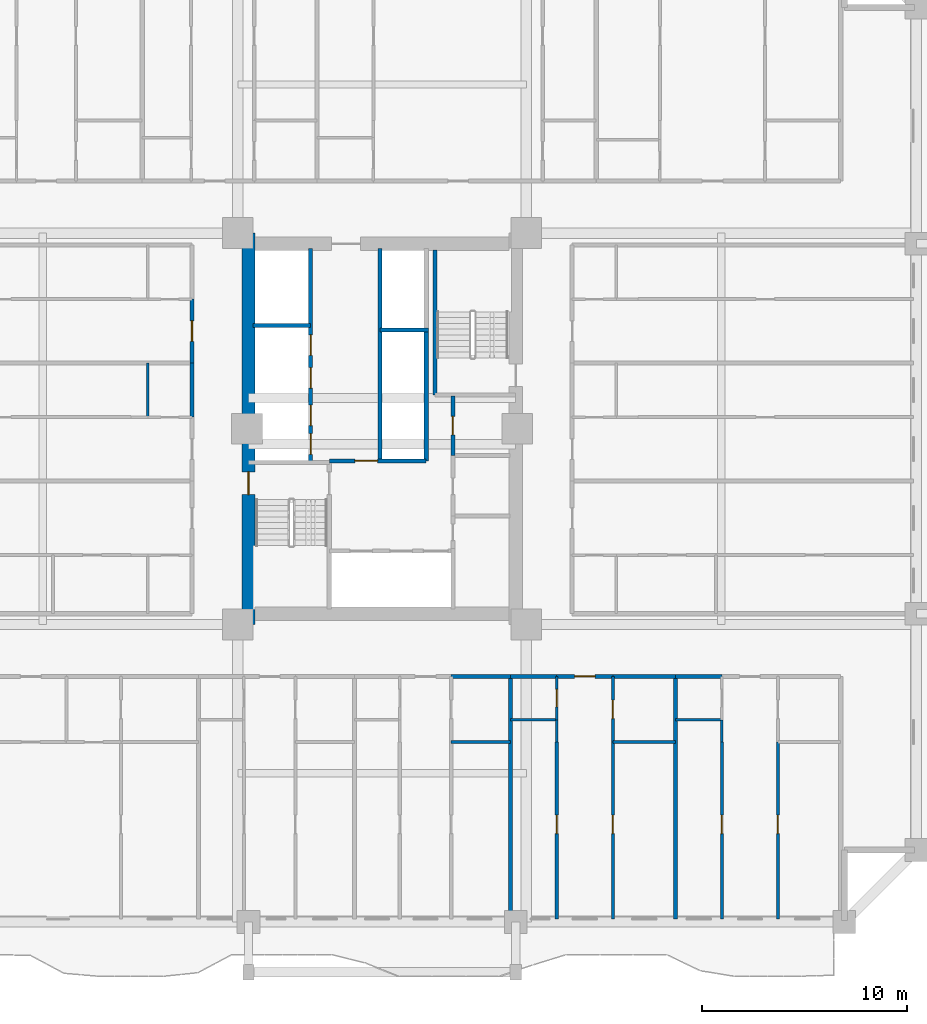
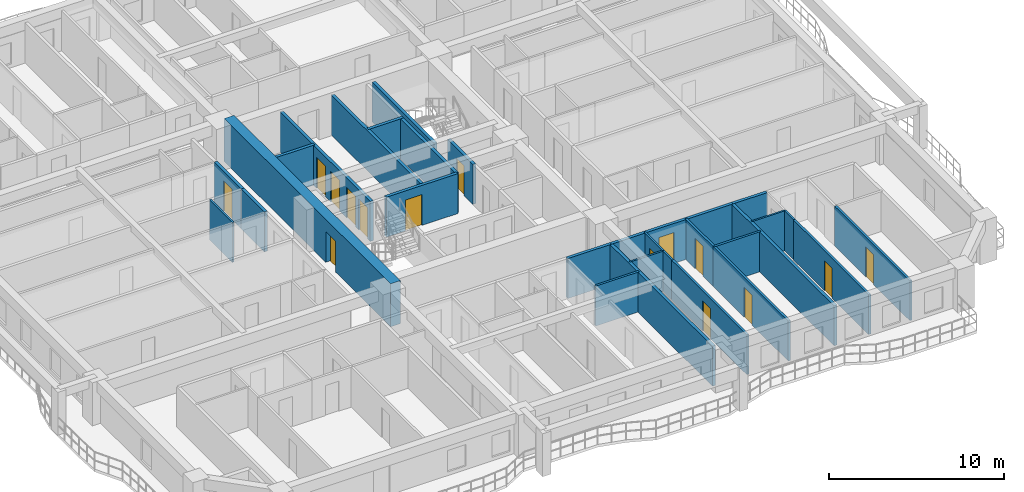
# One storey, part 5 of 16: 31 walls, 15 doors, 15 openings.
"""IFC4 building model written with IfcOpenShell, lengths in metres."""

from ifc_helpers import new_model, si_unit, direction, frame, frame_2d, origin, place, context, subcontext, project, spatial, rectangle, extrude, source, transform, mapped, material, layer, layer_set, type_object, element, fill, save


model = new_model("IFC4")

# Units and contexts
model_context = context("Model", 3, precision=1e-05, world=origin(), true_north=direction((0.0, 1.0)))
body_context = subcontext(model_context, "Body", "Model", "MODEL_VIEW")
ifc_project = project(units=[si_unit("LENGTHUNIT", "METRE"), si_unit("AREAUNIT", "SQUARE_METRE"), si_unit("VOLUMEUNIT", "CUBIC_METRE"), si_unit("PLANEANGLEUNIT", "RADIAN"), si_unit("MASSUNIT", "GRAM", prefix="KILO")], contexts=[model_context])

# Site, building, storey
site_placement = place(None, origin())
site = spatial("IfcSite", under=ifc_project, at=site_placement, CompositionType="ELEMENT")
building_placement = place(site_placement, origin())
building = spatial("IfcBuilding", under=site, at=building_placement, Name="Saelheon Loggia Tower", CompositionType="ELEMENT")
storey_placement = place(building_placement, frame((0.0, 0.0, 55.39990234375)))
storey = spatial("IfcBuildingStorey", under=building, at=storey_placement, Name="L17", CompositionType="ELEMENT", Elevation=55.39990234375)

# Wall, opening, door
ifc_material_1 = material(Name="Concrete C60/75", Category="concrete")
ifc_layer_1 = layer(ifc_material_1, 0.64990234375)
ifc_layer_set_1 = layer_set([ifc_layer_1], Name="Concrete C60/75")
wall_type_1 = type_object("IfcWallType", Name="Wall_CoreShear_650", PredefinedType="SHEAR", material=ifc_layer_set_1)
wall_1_placement = place(storey_placement, frame((31.5, 17.47998046875, 0.0), z_axis=(0.0, 0.0, 1.0), x_axis=(0.0, 1.0, 0.0)))
wall_1 = element("IfcWall", 1, at=wall_1_placement, inside=storey, type_object=wall_type_1, Name="L17 Core Shear Wall West", PredefinedType="SHEAR", context=body_context, shape_type="SweptSolid", body=[
    extrude(rectangle(XDim=19.0400390625, YDim=0.64990234375, at=frame_2d((9.52001953125, 0.0))), origin(), (0.0, 0.0, 1.0), 3.0),
])
opening_1_placement = place(wall_1_placement, frame((6.320068359375, 0.0, 0.0)))
opening_1 = element("IfcOpeningElement", 2, at=opening_1_placement, cuts=wall_1, Name="Opening D-FD2", PredefinedType="OPENING", context=body_context, shape_type="SweptSolid", body=[
    extrude(rectangle(XDim=1.10009765625, YDim=2.14990234375, at=frame_2d((0.550048828125, 1.074951171875))), frame((0.0, 0.3369140625, 0.0), z_axis=(0.0, -1.0, 0.0), x_axis=(1.0, 0.0, 0.0)), (0.0, 0.0, 1.0), 0.673828125),
])
ifc_material_2 = material(Name="Galvanised Steel Fire Door", Category="steel")
door_type_1 = type_object("IfcDoorType", Name="Door_Fire_FD60_1100", OperationType="NOTDEFINED", PredefinedType="DOOR", material=ifc_material_2)
shared_shape_1 = source(origin(), body_context, "Body", "SweptSolid", [
    extrude(rectangle(XDim=1.10009765625, YDim=2.14990234375, at=frame_2d((0.550048828125, 1.074951171875))), frame((0.0, 0.02490234375, 0.0), z_axis=(0.0, -1.0, 0.0), x_axis=(1.0, 0.0, 0.0)), (0.0, 0.0, 1.0), 0.050048828125),
])
door_1_placement = place(opening_1_placement, origin())
door_1 = element("IfcDoor", 3, at=door_1_placement, inside=storey, type_object=door_type_1, Name="L17 Stair ST1 Corridor Door", OperationType="SINGLE_SWING_LEFT", OverallHeight=2.14990234375, OverallWidth=1.10009765625, PredefinedType="DOOR", context=body_context, shape_type="MappedRepresentation", body=[
    mapped(shared_shape_1, transform((0.0, 0.0, 0.0), scale=1.0)),
])
fill(opening_1, door_1)

# Walls
ifc_material_3 = material(Name="Lightweight Autoclaved Aerated Concrete Block and Acoustic Gypsum", Category="concrete")
ifc_layer_2 = layer(ifc_material_3, 0.14990234375)
ifc_layer_set_2 = layer_set([ifc_layer_2], Name="Lightweight Autoclaved Aerated Concrete Block and Acoustic Gypsum")
wall_type_2 = type_object("IfcWallType", Name="Wall_Part_150", PredefinedType="PARTITIONING", material=ifc_layer_set_2)
wall_2_placement = place(storey_placement, frame((41.365966796875, 11.75, 0.0), z_axis=(0.0, 0.0, 1.0), x_axis=(1.0, 0.0, 0.0)))
element("IfcWall", 4, at=wall_2_placement, inside=storey, type_object=wall_type_2, Name="L17 S Partition V33", PredefinedType="PARTITIONING", context=body_context, shape_type="SweptSolid", body=[
    extrude(rectangle(XDim=2.883544921875, YDim=0.14990234375, at=frame_2d((1.44189453125, 0.0))), origin(), (0.0, 0.0, 1.0), 2.7900390625),
])
wall_3_placement = place(storey_placement, frame((49.2314453125, 11.75, 0.0), z_axis=(0.0, 0.0, 1.0), x_axis=(1.0, 0.0, 0.0)))
element("IfcWall", 5, at=wall_3_placement, inside=storey, type_object=wall_type_2, Name="L17 S Partition V44", PredefinedType="PARTITIONING", context=body_context, shape_type="SweptSolid", body=[
    extrude(rectangle(XDim=3.053466796875, YDim=0.14990234375, at=frame_2d((1.52685546875, 0.0))), origin(), (0.0, 0.0, 1.0), 2.7900390625),
])

# Wall, opening, door
wall_4_placement = place(storey_placement, frame((46.49951171875, 11.75, 0.0), z_axis=(0.0, 0.0, 1.0), x_axis=(0.0, -1.0, 0.0)))
wall_4 = element("IfcWall", 6, at=wall_4_placement, inside=storey, type_object=wall_type_2, Name="L17 S Partition U47", PredefinedType="PARTITIONING", context=body_context, shape_type="SweptSolid", body=[
    extrude(rectangle(XDim=8.60009765625, YDim=0.14990234375, at=frame_2d((4.300048828125, 0.0))), origin(), (0.0, 0.0, 1.0), 2.7900390625),
])
opening_2_placement = place(wall_4_placement, frame((3.54931640625, 0.0, 0.0)))
opening_2 = element("IfcOpeningElement", 7, at=opening_2_placement, cuts=wall_4, Name="Opening D-IN2", PredefinedType="OPENING", context=body_context, shape_type="SweptSolid", body=[
    extrude(rectangle(XDim=0.89990234375, YDim=2.10009765625, at=frame_2d((0.449951171875, 1.050048828125))), frame((0.0, 0.0869140625, 0.0), z_axis=(0.0, -1.0, 0.0), x_axis=(1.0, 0.0, 0.0)), (0.0, 0.0, 1.0), 0.173828125),
])
ifc_material_4 = material(Name="Engineered Oak Flush Door", Category="timber")
door_type_2 = type_object("IfcDoorType", Name="Door_Int_900", OperationType="NOTDEFINED", PredefinedType="DOOR", material=ifc_material_4)
shared_shape_2 = source(origin(), body_context, "Body", "SweptSolid", [
    extrude(rectangle(XDim=0.89990234375, YDim=2.10009765625, at=frame_2d((0.449951171875, 1.050048828125))), frame((0.0, 0.02490234375, 0.0), z_axis=(0.0, -1.0, 0.0), x_axis=(1.0, 0.0, 0.0)), (0.0, 0.0, 1.0), 0.050048828125),
])
door_2_placement = place(opening_2_placement, origin())
door_2 = element("IfcDoor", 8, at=door_2_placement, inside=storey, type_object=door_type_2, Name="Unit U04 Kitchen Door", OperationType="SINGLE_SWING_RIGHT", OverallHeight=2.10009765625, OverallWidth=0.89990234375, PredefinedType="DOOR", context=body_context, shape_type="MappedRepresentation", body=[
    mapped(shared_shape_2, transform((0.0, 0.0, 0.0), scale=1.0)),
])
fill(opening_2, door_2)

wall_5_placement = place(storey_placement, frame((49.2314453125, 14.949951171875, 0.0), z_axis=(0.0, 0.0, 1.0), x_axis=(0.0, -1.0, 0.0)))
wall_5 = element("IfcWall", 9, at=wall_5_placement, inside=storey, type_object=wall_type_2, Name="L17 S Partition U48", PredefinedType="PARTITIONING", context=body_context, shape_type="SweptSolid", body=[
    extrude(rectangle(XDim=3.199951171875, YDim=0.14990234375, at=frame_2d((1.60009765625, 0.0))), origin(), (0.0, 0.0, 1.0), 2.7900390625),
])
opening_3_placement = place(wall_5_placement, frame((1.14990234375, 0.0, 0.0)))
opening_3 = element("IfcOpeningElement", 10, at=opening_3_placement, cuts=wall_5, Name="Opening D-IN2", PredefinedType="OPENING", context=body_context, shape_type="SweptSolid", body=[
    extrude(rectangle(XDim=0.89990234375, YDim=2.10009765625, at=frame_2d((0.449951171875, 1.050048828125))), frame((0.0, 0.0869140625, 0.0), z_axis=(0.0, -1.0, 0.0), x_axis=(1.0, 0.0, 0.0)), (0.0, 0.0, 1.0), 0.173828125),
])
door_3_placement = place(opening_3_placement, origin())
door_3 = element("IfcDoor", 11, at=door_3_placement, inside=storey, type_object=door_type_2, Name="Unit U04 Dressing Closet Door", OperationType="SINGLE_SWING_LEFT", OverallHeight=2.10009765625, OverallWidth=0.89990234375, PredefinedType="DOOR", context=body_context, shape_type="MappedRepresentation", body=[
    mapped(shared_shape_2, transform((0.0, 0.0, 0.0), scale=1.0)),
])
fill(opening_3, door_3)

wall_6_placement = place(storey_placement, frame((49.2314453125, 11.75, 0.0), z_axis=(0.0, 0.0, 1.0), x_axis=(0.0, -1.0, 0.0)))
wall_6 = element("IfcWall", 12, at=wall_6_placement, inside=storey, type_object=wall_type_2, Name="L17 S Partition U49", PredefinedType="PARTITIONING", context=body_context, shape_type="SweptSolid", body=[
    extrude(rectangle(XDim=8.60009765625, YDim=0.14990234375, at=frame_2d((4.300048828125, 0.0))), origin(), (0.0, 0.0, 1.0), 2.7900390625),
])
opening_4_placement = place(wall_6_placement, frame((3.54931640625, 0.0, 0.0)))
opening_4 = element("IfcOpeningElement", 13, at=opening_4_placement, cuts=wall_6, Name="Opening D-IN2", PredefinedType="OPENING", context=body_context, shape_type="SweptSolid", body=[
    extrude(rectangle(XDim=0.89990234375, YDim=2.10009765625, at=frame_2d((0.449951171875, 1.050048828125))), frame((0.0, 0.0869140625, 0.0), z_axis=(0.0, -1.0, 0.0), x_axis=(1.0, 0.0, 0.0)), (0.0, 0.0, 1.0), 0.173828125),
])
door_4_placement = place(opening_4_placement, origin())
door_4 = element("IfcDoor", 14, at=door_4_placement, inside=storey, type_object=door_type_2, Name="Unit U04 Bedroom 1 Door", OperationType="SINGLE_SWING_RIGHT", OverallHeight=2.10009765625, OverallWidth=0.89990234375, PredefinedType="DOOR", context=body_context, shape_type="MappedRepresentation", body=[
    mapped(shared_shape_2, transform((0.0, 0.0, 0.0), scale=1.0)),
])
fill(opening_4, door_4)

wall_7_placement = place(storey_placement, frame((54.53466796875, 11.75, 0.0), z_axis=(0.0, 0.0, 1.0), x_axis=(0.0, -1.0, 0.0)))
wall_7 = element("IfcWall", 15, at=wall_7_placement, inside=storey, type_object=wall_type_2, Name="L17 S Partition U58", PredefinedType="PARTITIONING", context=body_context, shape_type="SweptSolid", body=[
    extrude(rectangle(XDim=8.60009765625, YDim=0.14990234375, at=frame_2d((4.300048828125, 0.0))), origin(), (0.0, 0.0, 1.0), 2.7900390625),
])
opening_5_placement = place(wall_7_placement, frame((3.54931640625, 0.0, 0.0)))
opening_5 = element("IfcOpeningElement", 16, at=opening_5_placement, cuts=wall_7, Name="Opening D-IN2", PredefinedType="OPENING", context=body_context, shape_type="SweptSolid", body=[
    extrude(rectangle(XDim=0.89990234375, YDim=2.10009765625, at=frame_2d((0.449951171875, 1.050048828125))), frame((0.0, 0.0869140625, 0.0), z_axis=(0.0, -1.0, 0.0), x_axis=(1.0, 0.0, 0.0)), (0.0, 0.0, 1.0), 0.173828125),
])
door_5_placement = place(opening_5_placement, origin())
door_5 = element("IfcDoor", 17, at=door_5_placement, inside=storey, type_object=door_type_2, Name="Unit U05 Kitchen Door", OperationType="SINGLE_SWING_LEFT", OverallHeight=2.10009765625, OverallWidth=0.89990234375, PredefinedType="DOOR", context=body_context, shape_type="MappedRepresentation", body=[
    mapped(shared_shape_2, transform((0.0, 0.0, 0.0), scale=1.0)),
])
fill(opening_5, door_5)

wall_8_placement = place(storey_placement, frame((57.2666015625, 11.75, 0.0), z_axis=(0.0, 0.0, 1.0), x_axis=(0.0, -1.0, 0.0)))
wall_8 = element("IfcWall", 18, at=wall_8_placement, inside=storey, type_object=wall_type_2, Name="L17 S Partition U60", PredefinedType="PARTITIONING", context=body_context, shape_type="SweptSolid", body=[
    extrude(rectangle(XDim=8.60009765625, YDim=0.14990234375, at=frame_2d((4.300048828125, 0.0))), origin(), (0.0, 0.0, 1.0), 2.7900390625),
])
opening_6_placement = place(wall_8_placement, frame((3.54931640625, 0.0, 0.0)))
opening_6 = element("IfcOpeningElement", 19, at=opening_6_placement, cuts=wall_8, Name="Opening D-IN2", PredefinedType="OPENING", context=body_context, shape_type="SweptSolid", body=[
    extrude(rectangle(XDim=0.89990234375, YDim=2.10009765625, at=frame_2d((0.449951171875, 1.050048828125))), frame((0.0, 0.0869140625, 0.0), z_axis=(0.0, -1.0, 0.0), x_axis=(1.0, 0.0, 0.0)), (0.0, 0.0, 1.0), 0.173828125),
])
door_6_placement = place(opening_6_placement, origin())
door_6 = element("IfcDoor", 20, at=door_6_placement, inside=storey, type_object=door_type_2, Name="Unit U05 Bedroom 1 Door", OperationType="SINGLE_SWING_LEFT", OverallHeight=2.10009765625, OverallWidth=0.89990234375, PredefinedType="DOOR", context=body_context, shape_type="MappedRepresentation", body=[
    mapped(shared_shape_2, transform((0.0, 0.0, 0.0), scale=1.0)),
])
fill(opening_6, door_6)

# Walls
ifc_material_5 = material(Name="Double Acoustic Stud and Fireboard Partition", Category="gypsum")
ifc_layer_3 = layer(ifc_material_5, 0.199951171875)
ifc_layer_set_3 = layer_set([ifc_layer_3], Name="Double Acoustic Stud and Fireboard Partition")
wall_type_3 = type_object("IfcWallType", Name="Wall_Party_200", PredefinedType="PARTITIONING", material=ifc_layer_set_3)
wall_9_placement = place(storey_placement, frame((41.365966796875, 14.949951171875, 0.0), z_axis=(0.0, 0.0, 1.0), x_axis=(1.0, 0.0, 0.0)))
element("IfcWall", 21, at=wall_9_placement, inside=storey, type_object=wall_type_3, Name="L17 S Partition V31", PredefinedType="PARTITIONING", context=body_context, shape_type="SweptSolid", body=[
    extrude(rectangle(XDim=2.883544921875, YDim=0.199951171875, at=frame_2d((1.44189453125, 0.0))), origin(), (0.0, 0.0, 1.0), 2.7900390625),
])
wall_10_placement = place(storey_placement, frame((44.24951171875, 14.949951171875, 0.0), z_axis=(0.0, 0.0, 1.0), x_axis=(0.0, -1.0, 0.0)))
element("IfcWall", 22, at=wall_10_placement, inside=storey, type_object=wall_type_3, Name="L17 S Partition U39", PredefinedType="PARTITIONING", context=body_context, shape_type="SweptSolid", body=[
    extrude(rectangle(XDim=11.800048828125, YDim=0.199951171875, at=frame_2d((5.89990234375, 0.0))), origin(), (0.0, 0.0, 1.0), 2.7900390625),
])
wall_11_placement = place(storey_placement, frame((44.24951171875, 14.949951171875, 0.0), z_axis=(0.0, 0.0, 1.0), x_axis=(1.0, 0.0, 0.0)))
element("IfcWall", 23, at=wall_11_placement, inside=storey, type_object=wall_type_3, Name="L17 S Partition V40", PredefinedType="PARTITIONING", context=body_context, shape_type="SweptSolid", body=[
    extrude(rectangle(XDim=2.25, YDim=0.199951171875, at=frame_2d((1.125, 0.0))), origin(), (0.0, 0.0, 1.0), 2.7900390625),
])

# Wall, opening, door
wall_12_placement = place(storey_placement, frame((46.49951171875, 14.949951171875, 0.0), z_axis=(0.0, 0.0, 1.0), x_axis=(1.0, 0.0, 0.0)))
wall_12 = element("IfcWall", 24, at=wall_12_placement, inside=storey, type_object=wall_type_3, Name="L17 S Partition V41", PredefinedType="PARTITIONING", context=body_context, shape_type="SweptSolid", body=[
    extrude(rectangle(XDim=2.73193359375, YDim=0.199951171875, at=frame_2d((1.365966796875, 0.0))), origin(), (0.0, 0.0, 1.0), 2.7900390625),
])
opening_7_placement = place(wall_12_placement, frame((0.865966796875, 0.0, 0.0)))
opening_7 = element("IfcOpeningElement", 25, at=opening_7_placement, cuts=wall_12, Name="Opening D-FD1", PredefinedType="OPENING", context=body_context, shape_type="SweptSolid", body=[
    extrude(rectangle(XDim=1.0, YDim=2.14990234375, at=frame_2d((0.5, 1.074951171875))), frame((0.0, 0.112060546875, 0.0), z_axis=(0.0, -1.0, 0.0), x_axis=(1.0, 0.0, 0.0)), (0.0, 0.0, 1.0), 0.223876953125),
])
ifc_material_6 = material(Name="Fire-Rated Engineered Timber Entrance Door", Category="wood")
door_type_3 = type_object("IfcDoorType", Name="Door_Flat_FD30S", OperationType="NOTDEFINED", PredefinedType="DOOR", material=ifc_material_6)
shared_shape_3 = source(origin(), body_context, "Body", "SweptSolid", [
    extrude(rectangle(XDim=1.0, YDim=2.14990234375, at=frame_2d((0.5, 1.074951171875))), frame((0.0, 0.02490234375, 0.0), z_axis=(0.0, -1.0, 0.0), x_axis=(1.0, 0.0, 0.0)), (0.0, 0.0, 1.0), 0.050048828125),
])
door_7_placement = place(opening_7_placement, origin())
door_7 = element("IfcDoor", 26, at=door_7_placement, inside=storey, type_object=door_type_3, Name="Unit U04 Entrance Door", OperationType="SINGLE_SWING_RIGHT", OverallHeight=2.14990234375, OverallWidth=1.0, PredefinedType="DOOR", context=body_context, shape_type="MappedRepresentation", body=[
    mapped(shared_shape_3, transform((0.0, 0.0, 0.0), scale=1.0)),
])
fill(opening_7, door_7)

# Walls
wall_13_placement = place(storey_placement, frame((49.2314453125, 14.949951171875, 0.0), z_axis=(0.0, 0.0, 1.0), x_axis=(1.0, 0.0, 0.0)))
element("IfcWall", 27, at=wall_13_placement, inside=storey, type_object=wall_type_3, Name="L17 S Partition V42", PredefinedType="PARTITIONING", context=body_context, shape_type="SweptSolid", body=[
    extrude(rectangle(XDim=3.053466796875, YDim=0.199951171875, at=frame_2d((1.52685546875, 0.0))), origin(), (0.0, 0.0, 1.0), 2.7900390625),
])
wall_14_placement = place(storey_placement, frame((52.284912109375, 14.949951171875, 0.0), z_axis=(0.0, 0.0, 1.0), x_axis=(0.0, -1.0, 0.0)))
element("IfcWall", 28, at=wall_14_placement, inside=storey, type_object=wall_type_3, Name="L17 S Partition U50", PredefinedType="PARTITIONING", context=body_context, shape_type="SweptSolid", body=[
    extrude(rectangle(XDim=11.800048828125, YDim=0.199951171875, at=frame_2d((5.89990234375, 0.0))), origin(), (0.0, 0.0, 1.0), 2.7900390625),
])
wall_15_placement = place(storey_placement, frame((52.284912109375, 14.949951171875, 0.0), z_axis=(0.0, 0.0, 1.0), x_axis=(1.0, 0.0, 0.0)))
element("IfcWall", 29, at=wall_15_placement, inside=storey, type_object=wall_type_3, Name="L17 S Partition V51", PredefinedType="PARTITIONING", context=body_context, shape_type="SweptSolid", body=[
    extrude(rectangle(XDim=2.249755859375, YDim=0.199951171875, at=frame_2d((1.125, 0.0))), origin(), (0.0, 0.0, 1.0), 2.7900390625),
])
wall_16_placement = place(storey_placement, frame((28.75, 27.563720703125, 0.0), z_axis=(0.0, 0.0, 1.0), x_axis=(0.0, 1.0, 0.0)))
element("IfcWall", 30, at=wall_16_placement, inside=storey, type_object=wall_type_3, Name="L17 W Partition V13", PredefinedType="PARTITIONING", context=body_context, shape_type="SweptSolid", body=[
    extrude(rectangle(XDim=2.642333984375, YDim=0.199951171875, at=frame_2d((1.3212890625, 0.0))), origin(), (0.0, 0.0, 1.0), 2.7900390625),
])

# Wall, opening, door
wall_17_placement = place(storey_placement, frame((28.75, 30.2060546875, 0.0), z_axis=(0.0, 0.0, 1.0), x_axis=(0.0, 1.0, 0.0)))
wall_17 = element("IfcWall", 31, at=wall_17_placement, inside=storey, type_object=wall_type_3, Name="L17 W Partition V19", PredefinedType="PARTITIONING", context=body_context, shape_type="SweptSolid", body=[
    extrude(rectangle(XDim=3.101806640625, YDim=0.199951171875, at=frame_2d((1.55078125, 0.0))), origin(), (0.0, 0.0, 1.0), 2.7900390625),
])
opening_8_placement = place(wall_17_placement, frame((1.05078125, 0.0, 0.0)))
opening_8 = element("IfcOpeningElement", 32, at=opening_8_placement, cuts=wall_17, Name="Opening D-FD1", PredefinedType="OPENING", context=body_context, shape_type="SweptSolid", body=[
    extrude(rectangle(XDim=1.0, YDim=2.14990234375, at=frame_2d((0.5, 1.074951171875))), frame((0.0, 0.112060546875, 0.0), z_axis=(0.0, -1.0, 0.0), x_axis=(1.0, 0.0, 0.0)), (0.0, 0.0, 1.0), 0.223876953125),
])
door_8_placement = place(opening_8_placement, origin())
door_8 = element("IfcDoor", 33, at=door_8_placement, inside=storey, type_object=door_type_3, Name="Unit U12 Entrance Door", OperationType="SINGLE_SWING_RIGHT", OverallHeight=2.14990234375, OverallWidth=1.0, PredefinedType="DOOR", context=body_context, shape_type="MappedRepresentation", body=[
    mapped(shared_shape_3, transform((0.0, 0.0, 0.0), scale=1.0)),
])
fill(opening_8, door_8)

ifc_material_7 = material(Name="Concrete C40/50", Category="concrete")
ifc_layer_4 = layer(ifc_material_7, 0.199951171875)
ifc_layer_set_4 = layer_set([ifc_layer_4], Name="Concrete C40/50")
wall_type_4 = type_object("IfcWallType", Name="Wall_Shaft_200", PredefinedType="PARTITIONING", material=ifc_layer_set_4)
wall_18_placement = place(storey_placement, frame((41.449951171875, 25.699951171875, 0.0), z_axis=(0.0, 0.0, 1.0), x_axis=(0.0, 1.0, 0.0)))
wall_18 = element("IfcWall", 34, at=wall_18_placement, inside=storey, type_object=wall_type_4, Name="CW-INT-L17-BOH-W3", PredefinedType="PARTITIONING", context=body_context, shape_type="SweptSolid", body=[
    extrude(rectangle(XDim=2.900146484375, YDim=0.199951171875, at=frame_2d((1.4501953125, 0.0))), origin(), (0.0, 0.0, 1.0), 2.7900390625),
])
opening_9_placement = place(wall_18_placement, frame((1.0, 0.0, 0.0)))
opening_9 = element("IfcOpeningElement", 35, at=opening_9_placement, cuts=wall_18, Name="Opening D-RS1", PredefinedType="OPENING", context=body_context, shape_type="SweptSolid", body=[
    extrude(rectangle(XDim=0.89990234375, YDim=2.10009765625, at=frame_2d((0.449951171875, 1.050048828125))), frame((0.0, 0.112060546875, 0.0), z_axis=(0.0, -1.0, 0.0), x_axis=(1.0, 0.0, 0.0)), (0.0, 0.0, 1.0), 0.223876953125),
])
ifc_material_8 = material(Name="Galvanised Steel Riser Access Door", Category="steel")
door_type_4 = type_object("IfcDoorType", Name="Door_Riser_FD60", OperationType="NOTDEFINED", PredefinedType="DOOR", material=ifc_material_8)
door_9_placement = place(opening_9_placement, origin())
door_9 = element("IfcDoor", 36, at=door_9_placement, inside=storey, type_object=door_type_4, Name="L17 Floor IT Room Door", OperationType="SINGLE_SWING_RIGHT", OverallHeight=2.10009765625, OverallWidth=0.89990234375, PredefinedType="DOOR", context=body_context, shape_type="MappedRepresentation", body=[
    mapped(shared_shape_2, transform((0.0, 0.0, 0.0), scale=1.0)),
])
fill(opening_9, door_9)

# Wall
wall_19_placement = place(storey_placement, frame((40.14990234375, 25.43994140625, 0.0), z_axis=(0.0, 0.0, 1.0), x_axis=(0.0, 1.0, 0.0)))
element("IfcWall", 37, at=wall_19_placement, inside=storey, type_object=wall_type_4, Name="L17 Core Service Passage West Wall", PredefinedType="PARTITIONING", context=body_context, shape_type="SweptSolid", body=[
    extrude(rectangle(XDim=6.360107421875, YDim=0.199951171875, at=frame_2d((3.18017578125, 0.0))), origin(), (0.0, 0.0, 1.0), 2.7900390625),
])

# Wall, opening, door
wall_20_placement = place(storey_placement, frame((35.429931640625, 25.43994140625, 0.0), z_axis=(0.0, 0.0, 1.0), x_axis=(1.0, 0.0, 0.0)))
wall_20 = element("IfcWall", 38, at=wall_20_placement, inside=storey, type_object=wall_type_4, Name="L17 Firefighting Lobby Compartment Wall", PredefinedType="PARTITIONING", context=body_context, shape_type="SweptSolid", body=[
    extrude(rectangle(XDim=4.719970703125, YDim=0.199951171875, at=frame_2d((2.35986328125, 0.0))), origin(), (0.0, 0.0, 1.0), 2.7900390625),
])
opening_10_placement = place(wall_20_placement, frame((1.25, 0.0, 0.0)))
opening_10 = element("IfcOpeningElement", 39, at=opening_10_placement, cuts=wall_20, Name="Opening D-FD2", PredefinedType="OPENING", context=body_context, shape_type="SweptSolid", body=[
    extrude(rectangle(XDim=1.10009765625, YDim=2.14990234375, at=frame_2d((0.550048828125, 1.074951171875))), frame((0.0, 0.112060546875, 0.0), z_axis=(0.0, -1.0, 0.0), x_axis=(1.0, 0.0, 0.0)), (0.0, 0.0, 1.0), 0.223876953125),
])
door_10_placement = place(opening_10_placement, origin())
door_10 = element("IfcDoor", 40, at=door_10_placement, inside=storey, type_object=door_type_1, Name="L17 Firefighting Lobby Door", OperationType="SINGLE_SWING_LEFT", OverallHeight=2.14990234375, OverallWidth=1.10009765625, PredefinedType="DOOR", context=body_context, shape_type="MappedRepresentation", body=[
    mapped(shared_shape_1, transform((0.0, 0.0, 0.0), scale=1.0)),
])
fill(opening_10, door_10)

# Wall, openings, doors
wall_21_placement = place(storey_placement, frame((34.52001953125, 25.43994140625, 0.0), z_axis=(0.0, 0.0, 1.0), x_axis=(0.0, 1.0, 0.0)))
wall_21 = element("IfcWall", 41, at=wall_21_placement, inside=storey, type_object=wall_type_4, Name="L17 West Passenger Lift Bank Wall", PredefinedType="PARTITIONING", context=body_context, shape_type="SweptSolid", body=[
    extrude(rectangle(XDim=10.340087890625, YDim=0.199951171875, at=frame_2d((5.169921875, 0.0))), origin(), (0.0, 0.0, 1.0), 2.7900390625),
])
opening_11_placement = place(wall_21_placement, frame((0.320068359375, 0.0, 0.0)))
opening_11 = element("IfcOpeningElement", 42, at=opening_11_placement, cuts=wall_21, Name="Opening LD1", PredefinedType="OPENING", context=body_context, shape_type="SweptSolid", body=[
    extrude(rectangle(XDim=1.0, YDim=2.14990234375, at=frame_2d((0.5, 1.074951171875))), frame((0.0, 0.112060546875, 0.0), z_axis=(0.0, -1.0, 0.0), x_axis=(1.0, 0.0, 0.0)), (0.0, 0.0, 1.0), 0.223876953125),
])
opening_12_placement = place(wall_21_placement, frame((1.7099609375, 0.0, 0.0)))
opening_12 = element("IfcOpeningElement", 43, at=opening_12_placement, cuts=wall_21, Name="Opening LD1", PredefinedType="OPENING", context=body_context, shape_type="SweptSolid", body=[
    extrude(rectangle(XDim=1.0, YDim=2.14990234375, at=frame_2d((0.5, 1.074951171875))), frame((0.0, 0.112060546875, 0.0), z_axis=(0.0, -1.0, 0.0), x_axis=(1.0, 0.0, 0.0)), (0.0, 0.0, 1.0), 0.223876953125),
])
opening_13_placement = place(wall_21_placement, frame((3.534912109375, 0.0, 0.0)))
opening_13 = element("IfcOpeningElement", 44, at=opening_13_placement, cuts=wall_21, Name="Opening LD1", PredefinedType="OPENING", context=body_context, shape_type="SweptSolid", body=[
    extrude(rectangle(XDim=1.0, YDim=2.14990234375, at=frame_2d((0.5, 1.074951171875))), frame((0.0, 0.112060546875, 0.0), z_axis=(0.0, -1.0, 0.0), x_axis=(1.0, 0.0, 0.0)), (0.0, 0.0, 1.0), 0.223876953125),
])
opening_14_placement = place(wall_21_placement, frame((5.135009765625, 0.0, 0.0)))
opening_14 = element("IfcOpeningElement", 45, at=opening_14_placement, cuts=wall_21, Name="Opening LD1", PredefinedType="OPENING", context=body_context, shape_type="SweptSolid", body=[
    extrude(rectangle(XDim=1.0, YDim=2.14990234375, at=frame_2d((0.5, 1.074951171875))), frame((0.0, 0.112060546875, 0.0), z_axis=(0.0, -1.0, 0.0), x_axis=(1.0, 0.0, 0.0)), (0.0, 0.0, 1.0), 0.223876953125),
])
ifc_material_9 = material(Name="Brushed Stainless Steel 304 Landing Door", Category="steel")
door_type_5 = type_object("IfcDoorType", Name="Door_Lift_LD1", OperationType="DOUBLE_DOOR_SLIDING", PredefinedType="DOOR", material=ifc_material_9)
door_11_placement = place(opening_11_placement, origin())
door_11 = element("IfcDoor", 46, at=door_11_placement, inside=storey, type_object=door_type_5, Name="L17 PL1 Landing Door", OperationType="DOUBLE_DOOR_SLIDING", OverallHeight=2.14990234375, OverallWidth=1.0, PredefinedType="DOOR", context=body_context, shape_type="MappedRepresentation", body=[
    mapped(shared_shape_3, transform((0.0, 0.0, 0.0), scale=1.0)),
])
fill(opening_11, door_11)
door_12_placement = place(opening_12_placement, origin())
door_12 = element("IfcDoor", 47, at=door_12_placement, inside=storey, type_object=door_type_5, Name="L17 PL2 Landing Door", OperationType="DOUBLE_DOOR_SLIDING", OverallHeight=2.14990234375, OverallWidth=1.0, PredefinedType="DOOR", context=body_context, shape_type="MappedRepresentation", body=[
    mapped(shared_shape_3, transform((0.0, 0.0, 0.0), scale=1.0)),
])
fill(opening_12, door_12)
door_13_placement = place(opening_13_placement, origin())
door_13 = element("IfcDoor", 48, at=door_13_placement, inside=storey, type_object=door_type_5, Name="L17 PL3 Landing Door", OperationType="DOUBLE_DOOR_SLIDING", OverallHeight=2.14990234375, OverallWidth=1.0, PredefinedType="DOOR", context=body_context, shape_type="MappedRepresentation", body=[
    mapped(shared_shape_3, transform((0.0, 0.0, 0.0), scale=1.0)),
])
fill(opening_13, door_13)
door_14_placement = place(opening_14_placement, origin())
door_14 = element("IfcDoor", 49, at=door_14_placement, inside=storey, type_object=door_type_5, Name="L17 PL4 Landing Door", OperationType="DOUBLE_DOOR_SLIDING", OverallHeight=2.14990234375, OverallWidth=1.0, PredefinedType="DOOR", context=body_context, shape_type="MappedRepresentation", body=[
    mapped(shared_shape_3, transform((0.0, 0.0, 0.0), scale=1.0)),
])
fill(opening_14, door_14)

# Walls
wall_22_placement = place(storey_placement, frame((31.719970703125, 32.02001953125, 0.0), z_axis=(0.0, 0.0, 1.0), x_axis=(1.0, 0.0, 0.0)))
element("IfcWall", 50, at=wall_22_placement, inside=storey, type_object=wall_type_4, Name="L17 West High-Rise Shaft Divider", PredefinedType="PARTITIONING", context=body_context, shape_type="SweptSolid", body=[
    extrude(rectangle(XDim=2.800048828125, YDim=0.199951171875, at=frame_2d((1.39990234375, 0.0))), origin(), (0.0, 0.0, 1.0), 2.7900390625),
])
wall_23_placement = place(storey_placement, frame((37.89990234375, 25.43994140625, 0.0), z_axis=(0.0, 0.0, 1.0), x_axis=(0.0, 1.0, 0.0)))
element("IfcWall", 51, at=wall_23_placement, inside=storey, type_object=wall_type_4, Name="L17 East Passenger Lift Bank Wall", PredefinedType="PARTITIONING", context=body_context, shape_type="SweptSolid", body=[
    extrude(rectangle(XDim=10.340087890625, YDim=0.199951171875, at=frame_2d((5.169921875, 0.0))), origin(), (0.0, 0.0, 1.0), 2.7900390625),
])
wall_24_placement = place(storey_placement, frame((37.89990234375, 31.800048828125, 0.0), z_axis=(0.0, 0.0, 1.0), x_axis=(1.0, 0.0, 0.0)))
element("IfcWall", 52, at=wall_24_placement, inside=storey, type_object=wall_type_4, Name="L17 East High-Rise Shaft Divider", PredefinedType="PARTITIONING", context=body_context, shape_type="SweptSolid", body=[
    extrude(rectangle(XDim=2.35009765625, YDim=0.199951171875, at=frame_2d((1.175048828125, 0.0))), origin(), (0.0, 0.0, 1.0), 2.7900390625),
])
ifc_material_10 = material(Name="Concrete C45/55", Category="concrete")
ifc_layer_5 = layer(ifc_material_10, 0.199951171875)
ifc_layer_set_5 = layer_set([ifc_layer_5], Name="Concrete C45/55")
wall_type_5 = type_object("IfcWallType", Name="Wall_StairShaft_RC200", PredefinedType="SOLIDWALL", material=ifc_layer_set_5)
wall_25_placement = place(storey_placement, frame((40.570068359375, 28.64990234375, 0.0), z_axis=(0.0, 0.0, 1.0), x_axis=(0.0, 1.0, 0.0)))
element("IfcWall", 53, at=wall_25_placement, inside=storey, type_object=wall_type_5, Name="L17 Stair ST2 Shaft Wall", PredefinedType="SOLIDWALL", context=body_context, shape_type="SweptSolid", body=[
    extrude(rectangle(XDim=7.050048828125, YDim=0.199951171875, at=frame_2d((3.52490234375, 0.0))), origin(), (0.0, 0.0, 1.0), 2.7900390625),
])
ifc_material_11 = material(Name="Moisture-Resistant Cement Board Partition", Category="gypsum")
ifc_layer_6 = layer(ifc_material_11, 0.1201171875)
ifc_layer_set_6 = layer_set([ifc_layer_6], Name="Moisture-Resistant Cement Board Partition")
wall_type_6 = type_object("IfcWallType", Name="Wall_WetPart_120", PredefinedType="PARTITIONING", material=ifc_layer_set_6)
wall_26_placement = place(storey_placement, frame((44.24951171875, 12.830078125, 0.0), z_axis=(0.0, 0.0, 1.0), x_axis=(1.0, 0.0, 0.0)))
element("IfcWall", 54, at=wall_26_placement, inside=storey, type_object=wall_type_6, Name="L17 S Partition V43", PredefinedType="PARTITIONING", context=body_context, shape_type="SweptSolid", body=[
    extrude(rectangle(XDim=2.25, YDim=0.1201171875, at=frame_2d((1.125, 0.0))), origin(), (0.0, 0.0, 1.0), 2.7900390625),
])

# Wall, opening, door
wall_27_placement = place(storey_placement, frame((46.49951171875, 14.949951171875, 0.0), z_axis=(0.0, 0.0, 1.0), x_axis=(0.0, -1.0, 0.0)))
wall_27 = element("IfcWall", 55, at=wall_27_placement, inside=storey, type_object=wall_type_6, Name="L17 S Partition U45", PredefinedType="PARTITIONING", context=body_context, shape_type="SweptSolid", body=[
    extrude(rectangle(XDim=2.119873046875, YDim=0.1201171875, at=frame_2d((1.06005859375, 0.0))), origin(), (0.0, 0.0, 1.0), 2.7900390625),
])
opening_15_placement = place(wall_27_placement, frame((0.635009765625, 0.0, 0.0)))
opening_15 = element("IfcOpeningElement", 56, at=opening_15_placement, cuts=wall_27, Name="Opening D-BT1", PredefinedType="OPENING", context=body_context, shape_type="SweptSolid", body=[
    extrude(rectangle(XDim=0.85009765625, YDim=2.050048828125, at=frame_2d((0.425048828125, 1.02490234375))), frame((0.0, 0.072021484375, 0.0), z_axis=(0.0, -1.0, 0.0), x_axis=(1.0, 0.0, 0.0)), (0.0, 0.0, 1.0), 0.14404296875),
])
ifc_material_12 = material(Name="Moisture-Resistant Laminate Timber Door", Category="wood")
door_type_6 = type_object("IfcDoorType", Name="Door_Bath_850", OperationType="NOTDEFINED", PredefinedType="DOOR", material=ifc_material_12)
shared_shape_4 = source(origin(), body_context, "Body", "SweptSolid", [
    extrude(rectangle(XDim=0.85009765625, YDim=2.050048828125, at=frame_2d((0.425048828125, 1.02490234375))), frame((0.0, 0.02490234375, 0.0), z_axis=(0.0, -1.0, 0.0), x_axis=(1.0, 0.0, 0.0)), (0.0, 0.0, 1.0), 0.050048828125),
])
door_15_placement = place(opening_15_placement, origin())
door_15 = element("IfcDoor", 57, at=door_15_placement, inside=storey, type_object=door_type_6, Name="Unit U04 Bathroom Door", OperationType="SINGLE_SWING_LEFT", OverallHeight=2.050048828125, OverallWidth=0.85009765625, PredefinedType="DOOR", context=body_context, shape_type="MappedRepresentation", body=[
    mapped(shared_shape_4, transform((0.0, 0.0, 0.0), scale=1.0)),
])
fill(opening_15, door_15)

# Walls
wall_28_placement = place(storey_placement, frame((46.49951171875, 12.830078125, 0.0), z_axis=(0.0, 0.0, 1.0), x_axis=(0.0, -1.0, 0.0)))
element("IfcWall", 58, at=wall_28_placement, inside=storey, type_object=wall_type_6, Name="L17 S Partition U46", PredefinedType="PARTITIONING", context=body_context, shape_type="SweptSolid", body=[
    extrude(rectangle(XDim=1.080078125, YDim=0.1201171875, at=frame_2d((0.5400390625, 0.0))), origin(), (0.0, 0.0, 1.0), 2.7900390625),
])
wall_29_placement = place(storey_placement, frame((52.284912109375, 12.830078125, 0.0), z_axis=(0.0, 0.0, 1.0), x_axis=(1.0, 0.0, 0.0)))
element("IfcWall", 59, at=wall_29_placement, inside=storey, type_object=wall_type_6, Name="L17 S Partition V54", PredefinedType="PARTITIONING", context=body_context, shape_type="SweptSolid", body=[
    extrude(rectangle(XDim=2.249755859375, YDim=0.1201171875, at=frame_2d((1.125, 0.0))), origin(), (0.0, 0.0, 1.0), 2.7900390625),
])
wall_30_placement = place(storey_placement, frame((54.53466796875, 12.830078125, 0.0), z_axis=(0.0, 0.0, 1.0), x_axis=(0.0, -1.0, 0.0)))
element("IfcWall", 60, at=wall_30_placement, inside=storey, type_object=wall_type_6, Name="L17 S Partition U57", PredefinedType="PARTITIONING", context=body_context, shape_type="SweptSolid", body=[
    extrude(rectangle(XDim=1.080078125, YDim=0.1201171875, at=frame_2d((0.5400390625, 0.0))), origin(), (0.0, 0.0, 1.0), 2.7900390625),
])
wall_31_placement = place(storey_placement, frame((26.60009765625, 27.563720703125, 0.0), z_axis=(0.0, 0.0, 1.0), x_axis=(0.0, 1.0, 0.0)))
element("IfcWall", 61, at=wall_31_placement, inside=storey, type_object=wall_type_6, Name="L17 W Partition V16", PredefinedType="PARTITIONING", context=body_context, shape_type="SweptSolid", body=[
    extrude(rectangle(XDim=2.642333984375, YDim=0.1201171875, at=frame_2d((1.3212890625, 0.0))), origin(), (0.0, 0.0, 1.0), 2.7900390625),
])

save(model, "model.ifc")
